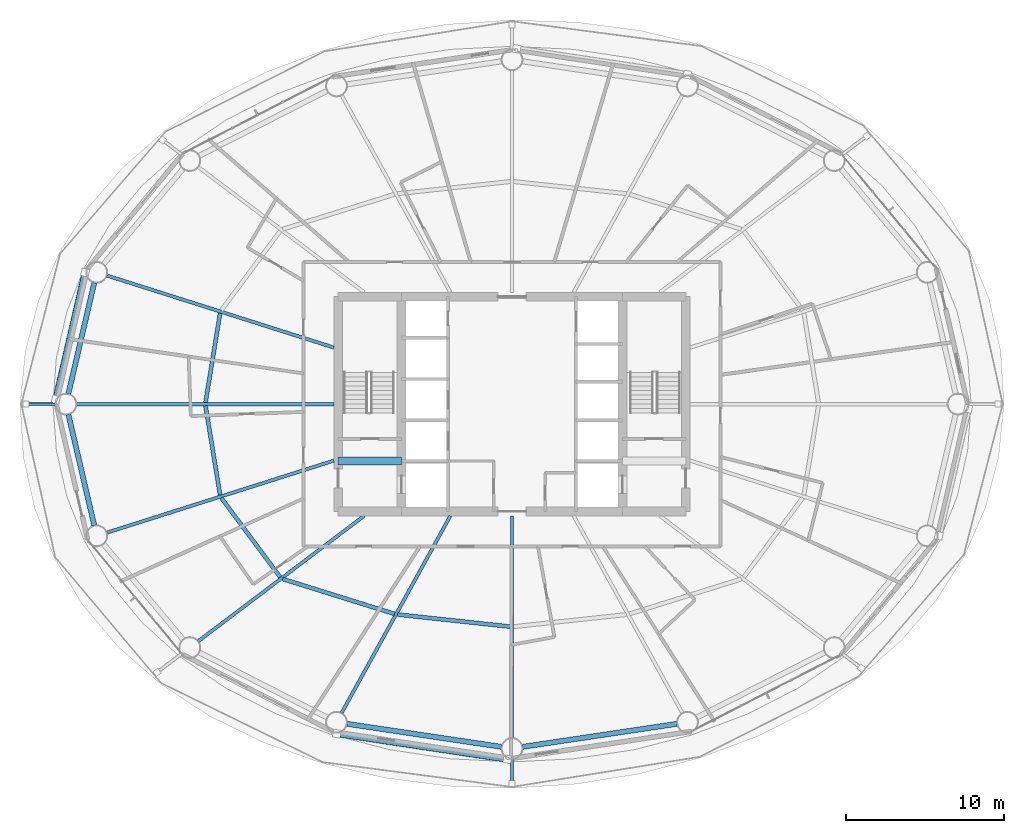
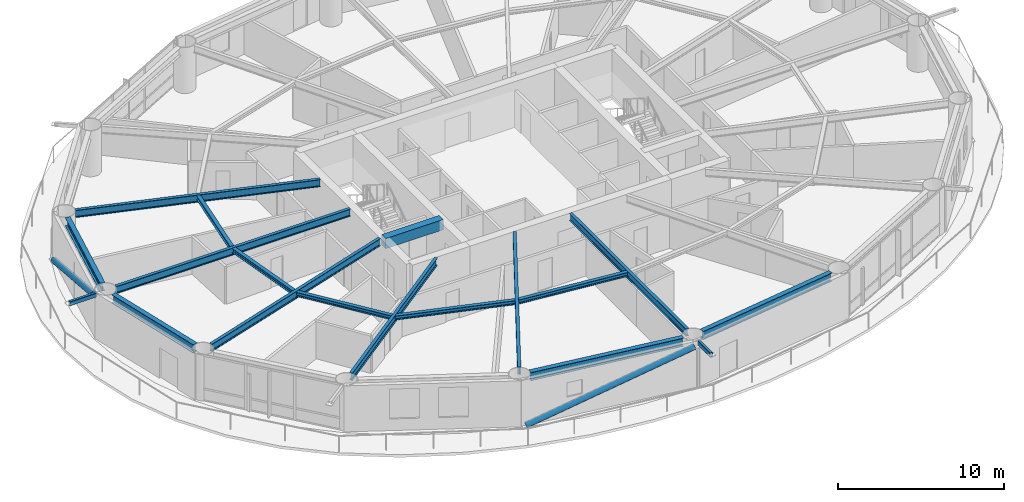
# One storey, part 3 of 24: 16 beams, 4 members.
"""IFC4 building model written with IfcOpenShell, lengths in metres."""

from ifc_helpers import new_model, si_unit, direction, frame, origin, origin_2d, place, context, subcontext, project, spatial, rectangle, hollow_rectangle, hollow_circle, i_section, extrude, material, material_profile, profile_set, type_object, element, save


model = new_model("IFC4")

# Units and contexts
model_context = context("Model", 3, precision=1e-05, world=origin(), true_north=direction((0.0, 1.0)))
body_context = subcontext(model_context, "Body", "Model", "MODEL_VIEW")
ifc_project = project(units=[si_unit("LENGTHUNIT", "METRE"), si_unit("AREAUNIT", "SQUARE_METRE"), si_unit("VOLUMEUNIT", "CUBIC_METRE"), si_unit("PLANEANGLEUNIT", "RADIAN"), si_unit("MASSUNIT", "GRAM", prefix="KILO")], contexts=[model_context])

# Site, building, storey
site_placement = place(None, origin())
site = spatial("IfcSite", under=ifc_project, at=site_placement, CompositionType="ELEMENT")
building_placement = place(site_placement, origin())
building = spatial("IfcBuilding", under=site, at=building_placement, Name="Sarneth Arch Tower", CompositionType="ELEMENT")
storey_placement = place(building_placement, frame((0.0, 0.0, 120.0)))
storey = spatial("IfcBuildingStorey", under=building, at=storey_placement, Name="L30", CompositionType="ELEMENT", Elevation=120.0)

# Beams
ifc_material_1 = material(Name="Steel S355", Category="steel")
ifc_material_profile_1 = material_profile(ifc_material_1, i_section(OverallWidth=0.25390625, OverallDepth=0.305908203125, WebThickness=0.0087890625, FlangeThickness=0.0146484375, FilletRadius=0.014892578125, at=origin_2d()), Name="W310x79")
ifc_profile_set_1 = profile_set([ifc_material_profile_1], Name="Steel S355")
beam_type_1 = type_object("IfcBeamType", Name="BM-JOIST-310A", PredefinedType="JOIST", material=ifc_profile_set_1)
for number, where, z_axis, x_axis, name in (
    (1, (29.521484375, 47.75390625, 3.22705078125), (-0.16120310833, -0.986921252109, 0.0), (0.986921252109, -0.16120310833, 0.0), "L30 Secondary floor joist 08"),
    (2, (28.5986328125, 41.89599609375, 3.22705078125), (0.16120310833, -0.986921252109, 0.0), (0.986921252109, 0.16120310833, 0.0), "L30 Secondary floor joist 09"),
):
    element("IfcBeam", number, at=place(storey_placement, frame(where, z_axis=z_axis, x_axis=x_axis)), inside=storey, type_object=beam_type_1, Name=name, PredefinedType="JOIST", context=body_context, shape_type="SweptSolid", body=[
        extrude(i_section(OverallWidth=0.25390625, OverallDepth=0.305908203125, WebThickness=0.0087890625, FlangeThickness=0.0146484375, FilletRadius=0.014892578125, at=origin_2d()), origin(), (0.0, 0.0, 1.0), 5.724853515625),
    ])
beam_1_placement = place(storey_placement, frame((29.6015625, 36.057373046875, 3.22705078125), z_axis=(0.596354224217, -0.80272139579, 0.0), x_axis=(0.80272139579, 0.596354224217, 0.0)))
element("IfcBeam", 3, at=beam_1_placement, inside=storey, type_object=beam_type_1, Name="L30 Secondary floor joist 10", PredefinedType="JOIST", context=body_context, shape_type="SweptSolid", body=[
    extrude(i_section(OverallWidth=0.25390625, OverallDepth=0.305908203125, WebThickness=0.0087890625, FlangeThickness=0.0146484375, FilletRadius=0.014892578125, at=origin_2d()), origin(), (0.0, 0.0, 1.0), 6.246337890625),
])
beam_2_placement = place(storey_placement, frame((33.490234375, 30.927001953125, 3.22705078125), z_axis=(0.9544870201, -0.298252457594, 0.0), x_axis=(0.298252457594, 0.9544870201, 0.0)))
element("IfcBeam", 4, at=beam_2_placement, inside=storey, type_object=beam_type_1, Name="L30 Secondary floor joist 11", PredefinedType="JOIST", context=body_context, shape_type="SweptSolid", body=[
    extrude(i_section(OverallWidth=0.25390625, OverallDepth=0.305908203125, WebThickness=0.0087890625, FlangeThickness=0.0146484375, FilletRadius=0.014892578125, at=origin_2d()), origin(), (0.0, 0.0, 1.0), 7.40234375),
])
beam_3_placement = place(storey_placement, frame((40.761474609375, 28.676513671875, 3.22705078125), z_axis=(0.99429330851, -0.106680910441, 0.0), x_axis=(0.106680910441, 0.99429330851, 0.0)))
element("IfcBeam", 5, at=beam_3_placement, inside=storey, type_object=beam_type_1, Name="L30 Secondary floor joist 12", PredefinedType="JOIST", context=body_context, shape_type="SweptSolid", body=[
    extrude(i_section(OverallWidth=0.25390625, OverallDepth=0.305908203125, WebThickness=0.0087890625, FlangeThickness=0.0146484375, FilletRadius=0.014892578125, at=origin_2d()), origin(), (0.0, 0.0, 1.0), 7.174560546875),
])
ifc_material_2 = material(Name="Concrete C50/60", Category="concrete")
ifc_material_profile_2 = material_profile(ifc_material_2, rectangle(XDim=0.5, YDim=0.75, at=origin_2d()), Name="RC-500x750")
ifc_profile_set_2 = profile_set([ifc_material_profile_2], Name="Concrete C50/60")
beam_type_2 = type_object("IfcBeamType", Name="BM-LINTEL-RC", PredefinedType="LINTEL", material=ifc_profile_set_2)
beam_4_placement = place(storey_placement, frame((37.0, 38.39990234375, 3.0048828125), z_axis=(1.0, 0.0, 0.0), x_axis=(0.0, 1.0, 0.0)))
element("IfcBeam", 6, at=beam_4_placement, inside=storey, type_object=beam_type_2, Name="L30 Core coupling lintel W", PredefinedType="LINTEL", context=body_context, shape_type="SweptSolid", body=[
    extrude(rectangle(XDim=0.5, YDim=0.75, at=origin_2d()), origin(), (0.0, 0.0, 1.0), 4.0),
])
ifc_material_3 = material(Name="Steel S355", Category="steel")
ifc_material_profile_3 = material_profile(ifc_material_3, i_section(OverallWidth=0.2109375, OverallDepth=0.5390625, WebThickness=0.01171875, FlangeThickness=0.018798828125, FilletRadius=0.01806640625, at=origin_2d()), Name="W530x109")
ifc_profile_set_3 = profile_set([ifc_material_profile_3], Name="Steel S355")
beam_type_3 = type_object("IfcBeamType", Name="BM-RAD-530B", PredefinedType="BEAM", material=ifc_profile_set_3)
beam_5_placement = place(storey_placement, frame((36.72509765625, 45.57763671875, 3.110595703125), z_axis=(-0.95316257761, 0.302458427958, 0.0), x_axis=(-0.302458427958, -0.95316257761, 0.0)))
element("IfcBeam", 7, at=beam_5_placement, inside=storey, type_object=beam_type_3, Name="L30 Radial floor girder 08", PredefinedType="BEAM", context=body_context, shape_type="SweptSolid", body=[
    extrude(i_section(OverallWidth=0.2109375, OverallDepth=0.5390625, WebThickness=0.01171875, FlangeThickness=0.018798828125, FilletRadius=0.01806640625, at=origin_2d()), origin(), (0.0, 0.0, 1.0), 15.0791015625),
])
beam_6_placement = place(storey_placement, frame((36.72509765625, 42.0, 3.110595703125), z_axis=(-1.0, 0.0, 0.0), x_axis=(0.0, -1.0, 0.0)))
element("IfcBeam", 8, at=beam_6_placement, inside=storey, type_object=beam_type_3, Name="L30 Radial floor girder 09", PredefinedType="BEAM", context=body_context, shape_type="SweptSolid", body=[
    extrude(i_section(OverallWidth=0.2109375, OverallDepth=0.5390625, WebThickness=0.01171875, FlangeThickness=0.018798828125, FilletRadius=0.01806640625, at=origin_2d()), origin(), (0.0, 0.0, 1.0), 16.28662109375),
])
beam_7_placement = place(storey_placement, frame((36.72509765625, 38.42236328125, 3.110595703125), z_axis=(-0.95316257761, -0.302458427958, 0.0), x_axis=(0.302458427958, -0.95316257761, 0.0)))
element("IfcBeam", 9, at=beam_7_placement, inside=storey, type_object=beam_type_3, Name="L30 Radial floor girder 10", PredefinedType="BEAM", context=body_context, shape_type="SweptSolid", body=[
    extrude(i_section(OverallWidth=0.2109375, OverallDepth=0.5390625, WebThickness=0.01171875, FlangeThickness=0.018798828125, FilletRadius=0.01806640625, at=origin_2d()), origin(), (0.0, 0.0, 1.0), 15.0791015625),
])
beam_8_placement = place(storey_placement, frame((38.63818359375, 34.925048828125, 3.110595703125), z_axis=(-0.797801476102, -0.602920230818, 0.0), x_axis=(0.602920230818, -0.797801476102, 0.0)))
element("IfcBeam", 10, at=beam_8_placement, inside=storey, type_object=beam_type_3, Name="L30 Radial floor girder 11", PredefinedType="BEAM", context=body_context, shape_type="SweptSolid", body=[
    extrude(i_section(OverallWidth=0.2109375, OverallDepth=0.5390625, WebThickness=0.01171875, FlangeThickness=0.018798828125, FilletRadius=0.01806640625, at=origin_2d()), origin(), (0.0, 0.0, 1.0), 13.15771484375),
])
beam_9_placement = place(storey_placement, frame((44.09716796875, 34.925048828125, 3.110595703125), z_axis=(-0.48301301286, -0.875613173387, 0.0), x_axis=(0.875613173387, -0.48301301286, 0.0)))
element("IfcBeam", 11, at=beam_9_placement, inside=storey, type_object=beam_type_3, Name="L30 Radial floor girder 12", PredefinedType="BEAM", context=body_context, shape_type="SweptSolid", body=[
    extrude(i_section(OverallWidth=0.2109375, OverallDepth=0.5390625, WebThickness=0.01171875, FlangeThickness=0.018798828125, FilletRadius=0.01806640625, at=origin_2d()), origin(), (0.0, 0.0, 1.0), 14.246826171875),
])
beam_10_placement = place(storey_placement, frame((48.0, 34.925048828125, 3.110595703125), z_axis=(0.0, -1.0, 0.0), x_axis=(1.0, 0.0, 0.0)))
element("IfcBeam", 12, at=beam_10_placement, inside=storey, type_object=beam_type_3, Name="L30 Radial floor girder 13", PredefinedType="BEAM", context=body_context, shape_type="SweptSolid", body=[
    extrude(i_section(OverallWidth=0.2109375, OverallDepth=0.5390625, WebThickness=0.01171875, FlangeThickness=0.018798828125, FilletRadius=0.01806640625, at=origin_2d()), origin(), (0.0, 0.0, 1.0), 14.050048828125),
])
ifc_material_4 = material(Name="Steel S355", Category="steel")
ifc_material_profile_4 = material_profile(ifc_material_4, i_section(OverallWidth=0.323974609375, OverallDepth=0.611083984375, WebThickness=0.0126953125, FlangeThickness=0.01904296875, FilletRadius=0.01904296875, at=origin_2d()), Name="W610x155")
ifc_profile_set_4 = profile_set([ifc_material_profile_4], Name="Steel S355")
beam_type_4 = type_object("IfcBeamType", Name="BM-SPAN-610B", PredefinedType="SPANDREL", material=ifc_profile_set_4)
for number, where, z_axis, x_axis, name in (
    (13, (21.555419921875, 49.68505859375, 3.074462890625), (-0.22708522689, -0.973874889156, 0.0), (0.973874889156, -0.22708522689, 0.0), "L30 Perimeter spandrel beam 08"),
    (14, (19.916748046875, 41.342529296875, 3.074462890625), (0.22708522689, -0.973874889156, 0.0), (0.973874889156, 0.22708522689, 0.0), "L30 Perimeter spandrel beam 09"),
):
    element("IfcBeam", number, at=place(storey_placement, frame(where, z_axis=z_axis, x_axis=x_axis)), inside=storey, type_object=beam_type_4, Name=name, PredefinedType="SPANDREL", context=body_context, shape_type="SweptSolid", body=[
        extrude(i_section(OverallWidth=0.323974609375, OverallDepth=0.611083984375, WebThickness=0.0126953125, FlangeThickness=0.01904296875, FilletRadius=0.01904296875, at=origin_2d()), origin(), (0.0, 0.0, 1.0), 7.216064453125),
    ])
for number, where, z_axis, x_axis, name in (
    (15, (37.557373046875, 21.759765625, 3.074462890625), (0.989029828744, -0.147715936359, 0.0), (0.147715936359, 0.989029828744, 0.0), "L30 Perimeter spandrel beam 12"),
    (16, (48.66748046875, 20.2998046875, 3.074462890625), (0.989029828744, 0.147715936359, 0.0), (-0.147715936359, 0.989029828744, 0.0), "L30 Perimeter spandrel beam 13"),
):
    element("IfcBeam", number, at=place(storey_placement, frame(where, z_axis=z_axis, x_axis=x_axis)), inside=storey, type_object=beam_type_4, Name=name, PredefinedType="SPANDREL", context=body_context, shape_type="SweptSolid", body=[
        extrude(i_section(OverallWidth=0.323974609375, OverallDepth=0.611083984375, WebThickness=0.0126953125, FlangeThickness=0.01904296875, FilletRadius=0.01904296875, at=origin_2d()), origin(), (0.0, 0.0, 1.0), 9.883544921875),
    ])

# Members
ifc_material_5 = material(Name="Steel S355", Category="steel")
ifc_material_profile_5 = material_profile(ifc_material_5, hollow_rectangle(XDim=0.199951171875, YDim=0.300048828125, WallThickness=0.012451171875, InnerFilletRadius=0.018798828125, OuterFilletRadius=0.03125, at=origin_2d()), Name="RHS300x200x12.5")
ifc_profile_set_5 = profile_set([ifc_material_profile_5], Name="Steel S355")
member_type_1 = type_object("IfcMemberType", Name="MEM-CANT-STRUT", PredefinedType="STRUT", material=ifc_profile_set_5)
member_1_placement = place(storey_placement, frame((19.08837890625, 42.0, 3.219970703125), z_axis=(-1.0, 0.0, 0.0), x_axis=(0.0, -1.0, 0.0)))
element("IfcMember", 17, at=member_1_placement, inside=storey, type_object=member_type_1, Name="L30 Balcony cantilever bracket 09", PredefinedType="STRUT", context=body_context, shape_type="SweptSolid", body=[
    extrude(hollow_rectangle(XDim=0.199951171875, YDim=0.300048828125, WallThickness=0.012451171875, InnerFilletRadius=0.018798828125, OuterFilletRadius=0.03125, at=origin_2d()), origin(), (0.0, 0.0, 1.0), 1.869384765625),
])
member_2_placement = place(storey_placement, frame((48.0, 19.52490234375, 3.219970703125), z_axis=(0.0, -1.0, 0.0), x_axis=(1.0, 0.0, 0.0)))
element("IfcMember", 18, at=member_2_placement, inside=storey, type_object=member_type_1, Name="L30 Balcony cantilever bracket 13", PredefinedType="STRUT", context=body_context, shape_type="SweptSolid", body=[
    extrude(hollow_rectangle(XDim=0.199951171875, YDim=0.300048828125, WallThickness=0.012451171875, InnerFilletRadius=0.018798828125, OuterFilletRadius=0.03125, at=origin_2d()), origin(), (0.0, 0.0, 1.0), 1.530517578125),
])
ifc_material_6 = material(Name="Steel S355", Category="steel")
ifc_material_profile_6 = material_profile(ifc_material_6, hollow_circle(Radius=0.202880859375, WallThickness=0.01611328125, at=origin_2d()), Name="CHS406x16")
ifc_profile_set_6 = profile_set([ifc_material_profile_6], Name="Steel S355")
member_type_2 = type_object("IfcMemberType", Name="MEM-DIAG-BR2", PredefinedType="BRACE", material=ifc_profile_set_6)
member_3_placement = place(storey_placement, frame((20.98046875, 50.32958984375, 0.02001953125), z_axis=(-0.21184573702, -0.915846816603, 0.341095283204), x_axis=(0.974275349464, -0.225360918143, 0.0)))
element("IfcMember", 19, at=member_3_placement, inside=storey, type_object=member_type_2, Name="L30 Perimeter frame diagonal 08", PredefinedType="BRACE", context=body_context, shape_type="SweptSolid", body=[
    extrude(hollow_circle(Radius=0.202880859375, WallThickness=0.01611328125, at=origin_2d()), origin(), (0.0, 0.0, 1.0), 8.77587890625),
])
member_4_placement = place(storey_placement, frame((36.9072265625, 21.140380859375, 0.02001953125), z_axis=(0.953656635145, -0.143605968509, 0.264416996529), x_axis=(0.148905755657, 0.988851392239, 0.0)))
element("IfcMember", 20, at=member_4_placement, inside=storey, type_object=member_type_2, Name="L30 Perimeter frame diagonal 12", PredefinedType="BRACE", context=body_context, shape_type="SweptSolid", body=[
    extrude(hollow_circle(Radius=0.202880859375, WallThickness=0.01611328125, at=origin_2d()), origin(), (0.0, 0.0, 1.0), 11.32080078125),
])

save(model, "model.ifc")
